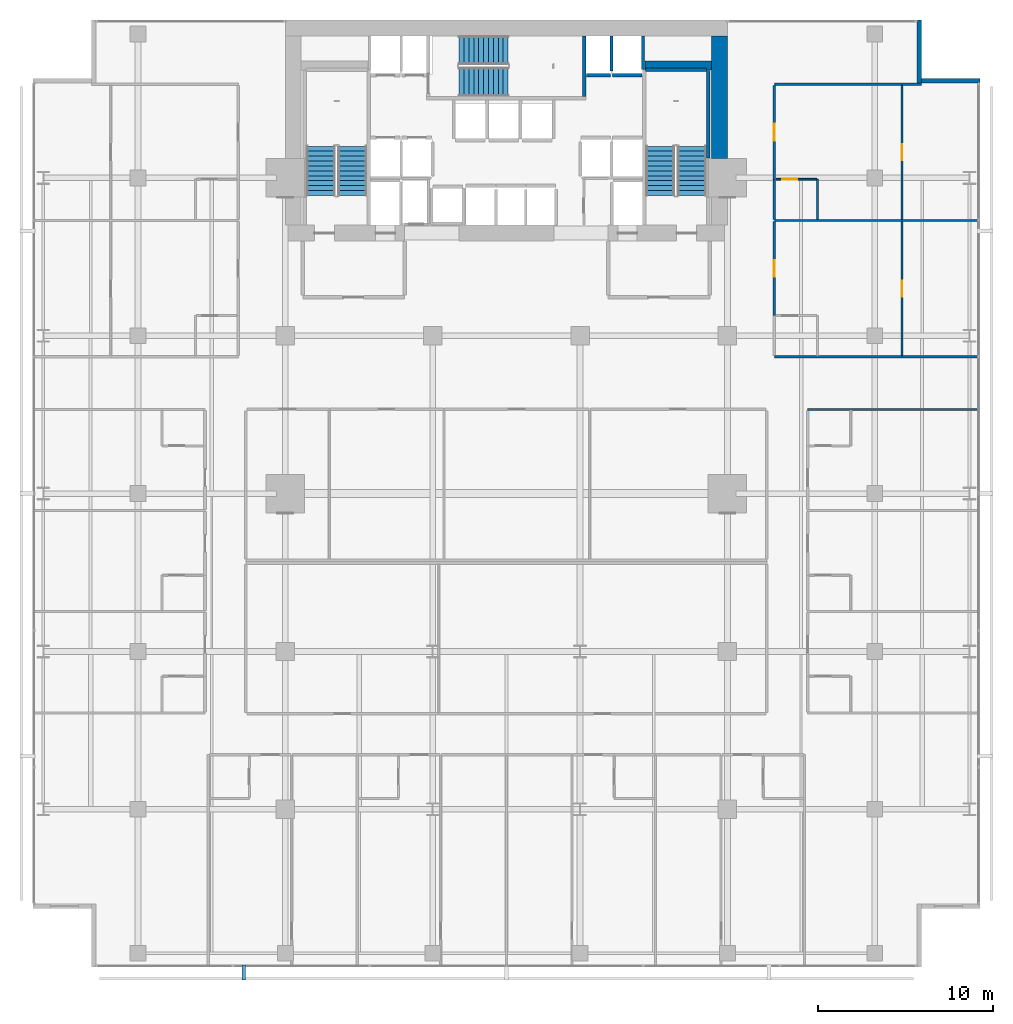
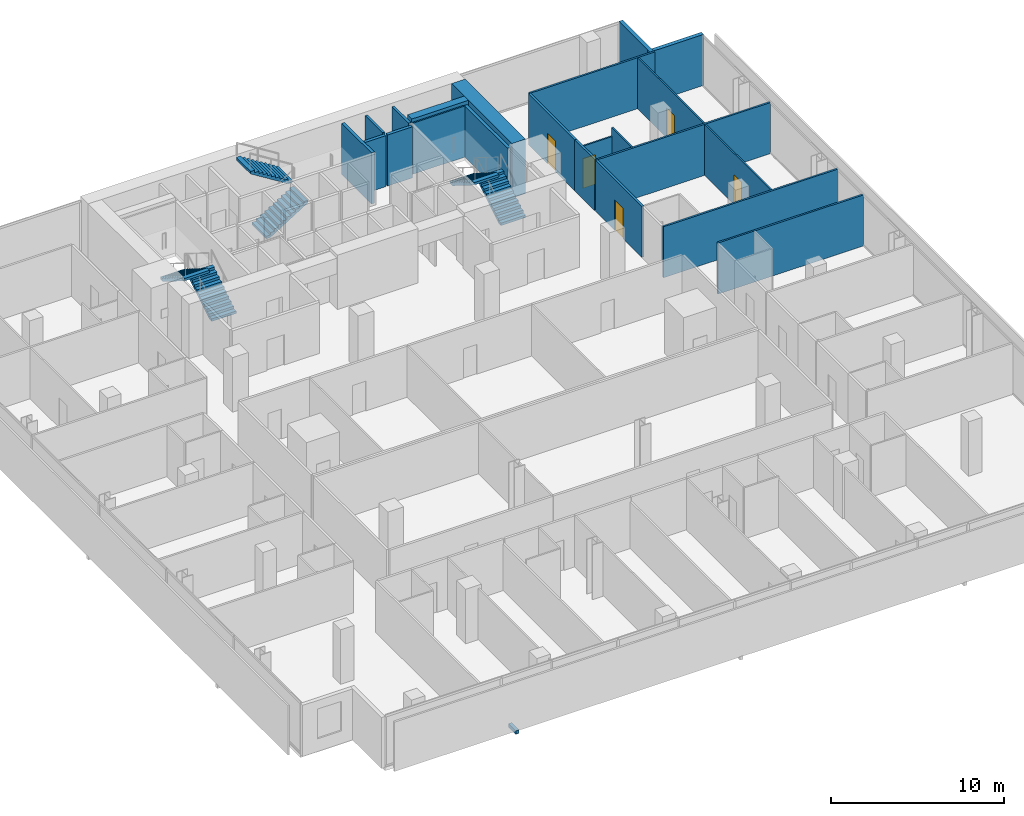
# One storey, part 37 of 40: 22 walls, 6 stair flights, 5 doors, 1 discrete accessory, 5 openings, 3 elements without a shape of their own.
"""IFC4 building model written with IfcOpenShell, lengths in metres."""

from ifc_helpers import new_model, si_unit, direction, frame, frame_2d, origin, origin_2d, place, context, subcontext, project, spatial, polyline, rectangle, outline, extrude, material, layer, layer_set, type_object, element, fill, aggregate, save


model = new_model("IFC4")

# Units and contexts
model_context = context("Model", 3, precision=1e-05, world=origin(), true_north=direction((0.0, 1.0)))
body_context = subcontext(model_context, "Body", "Model", "MODEL_VIEW")
ifc_project = project(units=[si_unit("LENGTHUNIT", "METRE"), si_unit("AREAUNIT", "SQUARE_METRE"), si_unit("VOLUMEUNIT", "CUBIC_METRE"), si_unit("PLANEANGLEUNIT", "RADIAN"), si_unit("MASSUNIT", "GRAM", prefix="KILO")], contexts=[model_context])

# Site, building, storey
site_placement = place(None, origin())
site = spatial("IfcSite", under=ifc_project, at=site_placement, CompositionType="ELEMENT")
building_placement = place(site_placement, origin())
building = spatial("IfcBuilding", under=site, at=building_placement, Name="Maruvema Waterfront Hotel and Observation Tower", CompositionType="ELEMENT")
storey_placement = place(building_placement, frame((0.0, 0.0, 92.39990234375)))
storey = spatial("IfcBuildingStorey", under=building, at=storey_placement, Name="L22", CompositionType="ELEMENT", Elevation=92.39990234375)

# Wall, opening, door
ifc_material_1 = material(Name="Twin-stud acoustic gypsum drywall", Category="gypsum")
ifc_layer_1 = layer(ifc_material_1, 0.14990234375, Name="Acoustic Corridor and Suite Demising Wall 150 mm")
ifc_layer_set_1 = layer_set([ifc_layer_1], Name="Twin-stud acoustic gypsum drywall")
wall_type_1 = type_object("IfcWallType", Name="Acoustic Corridor and Suite Demising Wall 150 mm", PredefinedType="PARTITIONING", material=ifc_layer_set_1)
wall_1_placement = place(storey_placement, frame((53.080078125, 37.14990234375, 0.0), z_axis=(0.0, 0.0, 1.0), x_axis=(0.0, 1.0, 0.0)))
wall_1 = element("IfcWall", 1, at=wall_1_placement, inside=storey, type_object=wall_type_1, Name="L22 Room L22-NE1 Corridor Wall 099", PredefinedType="PARTITIONING", context=body_context, shape_type="SweptSolid", body=[
    extrude(rectangle(XDim=5.35888671875, YDim=0.14990234375, at=frame_2d((2.679443359375, 0.0))), origin(), (0.0, 0.0, 1.0), 3.610107421875),
])
opening_1_placement = place(wall_1_placement, frame((2.204345703125, 0.0, 0.0)))
opening_1 = element("IfcOpeningElement", 2, at=opening_1_placement, cuts=wall_1, Name="Opening DR-095", PredefinedType="OPENING", context=body_context, shape_type="SweptSolid", body=[
    extrude(rectangle(XDim=0.949951171875, YDim=2.14990234375, at=frame_2d((0.47509765625, 1.074951171875))), frame((0.0, 0.0849609375, 0.0), z_axis=(0.0, -1.0, 0.0), x_axis=(1.0, 0.0, 0.0)), (0.0, 0.0, 1.0), 0.169921875),
])
ifc_material_2 = material(Name="Acoustic solid-core hardwood timber leaf", Category="wood")
door_type_1 = type_object("IfcDoorType", Name="Guestroom Entrance Fire Door 950x2150 mm", OperationType="NOTDEFINED", PredefinedType="DOOR", material=ifc_material_2)
door_1_placement = place(opening_1_placement, frame((0.949951171875, 0.0, 0.0), z_axis=(0.0, 0.0, 1.0), x_axis=(-1.0, 0.0, 0.0)))
door_1 = element("IfcDoor", 3, at=door_1_placement, inside=storey, type_object=door_type_1, Name="L22 Room L22-NE1 Entrance Door", OperationType="SINGLE_SWING_LEFT", OverallHeight=2.14990234375, OverallWidth=0.949951171875, PredefinedType="DOOR", context=body_context, shape_type="SweptSolid", body=[
    extrude(rectangle(XDim=0.949951171875, YDim=2.14990234375, at=frame_2d((0.47509765625, 1.074951171875))), frame((0.0, 0.02490234375, 0.0), z_axis=(0.0, -1.0, 0.0), x_axis=(1.0, 0.0, 0.0)), (0.0, 0.0, 1.0), 0.050048828125),
])
fill(opening_1, door_1)

# Wall
wall_2_placement = place(storey_placement, frame((53.080078125, 42.628662109375, 0.0), z_axis=(0.0, 0.0, 1.0), x_axis=(0.0, 1.0, 0.0)))
element("IfcWall", 4, at=wall_2_placement, inside=storey, type_object=wall_type_1, Name="L22 Bath L22-NE2 Wall 110", PredefinedType="PARTITIONING", context=body_context, shape_type="SweptSolid", body=[
    extrude(rectangle(XDim=2.2900390625, YDim=0.14990234375, at=frame_2d((1.14501953125, 0.0))), origin(), (0.0, 0.0, 1.0), 3.610107421875),
])

# Wall, opening, door
wall_3_placement = place(storey_placement, frame((53.080078125, 44.918701171875, 0.0), z_axis=(0.0, 0.0, 1.0), x_axis=(0.0, 1.0, 0.0)))
wall_3 = element("IfcWall", 5, at=wall_3_placement, inside=storey, type_object=wall_type_1, Name="L22 Room L22-NE2 Corridor Wall 111", PredefinedType="PARTITIONING", context=body_context, shape_type="SweptSolid", body=[
    extrude(rectangle(XDim=5.35888671875, YDim=0.14990234375, at=frame_2d((2.679443359375, 0.0))), origin(), (0.0, 0.0, 1.0), 3.610107421875),
])
opening_2_placement = place(wall_3_placement, frame((2.204345703125, 0.0, 0.0)))
opening_2 = element("IfcOpeningElement", 6, at=opening_2_placement, cuts=wall_3, Name="Opening DR-095", PredefinedType="OPENING", context=body_context, shape_type="SweptSolid", body=[
    extrude(rectangle(XDim=0.949951171875, YDim=2.14990234375, at=frame_2d((0.47509765625, 1.074951171875))), frame((0.0, 0.0849609375, 0.0), z_axis=(0.0, -1.0, 0.0), x_axis=(1.0, 0.0, 0.0)), (0.0, 0.0, 1.0), 0.169921875),
])
door_2_placement = place(opening_2_placement, frame((0.949951171875, 0.0, 0.0), z_axis=(0.0, 0.0, 1.0), x_axis=(-1.0, 0.0, 0.0)))
door_2 = element("IfcDoor", 7, at=door_2_placement, inside=storey, type_object=door_type_1, Name="L22 Room L22-NE2 Entrance Door", OperationType="SINGLE_SWING_LEFT", OverallHeight=2.14990234375, OverallWidth=0.949951171875, PredefinedType="DOOR", context=body_context, shape_type="SweptSolid", body=[
    extrude(rectangle(XDim=0.949951171875, YDim=2.14990234375, at=frame_2d((0.47509765625, 1.074951171875))), frame((0.0, 0.02490234375, 0.0), z_axis=(0.0, -1.0, 0.0), x_axis=(1.0, 0.0, 0.0)), (0.0, 0.0, 1.0), 0.050048828125),
])
fill(opening_2, door_2)

# Walls
ifc_material_3 = material(Name="Precast concrete C45/55", Category="concrete")
ifc_layer_2 = layer(ifc_material_3, 0.199951171875, Name="Core Shaft and Stairwell Enclosure Wall 200 mm")
ifc_layer_set_2 = layer_set([ifc_layer_2], Name="Precast concrete C45/55")
wall_type_2 = type_object("IfcWallType", Name="Core Shaft and Stairwell Enclosure Wall 200 mm", PredefinedType="SOLIDWALL", material=ifc_layer_set_2)
wall_4_placement = place(storey_placement, frame((42.25, 49.64990234375, 0.0), z_axis=(0.0, 0.0, 1.0), x_axis=(0.0, 1.0, 0.0)))
element("IfcWall", 8, at=wall_4_placement, inside=storey, type_object=wall_type_2, Name="L22 Stairwell ST-02 Shaft Wall", PredefinedType="SOLIDWALL", context=body_context, shape_type="SweptSolid", body=[
    extrude(rectangle(XDim=3.4501953125, YDim=0.199951171875, at=frame_2d((1.72509765625, 0.0))), origin(), (0.0, 0.0, 1.0), 3.610107421875),
])
wall_5_placement = place(storey_placement, frame((49.300048828125, 46.1201171875, 0.0), z_axis=(0.0, 0.0, 1.0), x_axis=(0.0, 1.0, 0.0)))
element("IfcWall", 9, at=wall_5_placement, inside=storey, type_object=wall_type_2, Name="L22 Stairwell ST-03 Shaft Lining Wall", PredefinedType="SOLIDWALL", context=body_context, shape_type="SweptSolid", body=[
    extrude(rectangle(XDim=5.0, YDim=0.199951171875, at=frame_2d((2.5, 0.0))), origin(), (0.0, 0.0, 1.0), 3.610107421875),
])
wall_6_placement = place(storey_placement, frame((45.719970703125, 51.14990234375, 0.0), z_axis=(0.0, 0.0, 1.0), x_axis=(1.0, 0.0, 0.0)))
element("IfcWall", 10, at=wall_6_placement, inside=storey, type_object=wall_type_2, Name="L22 Stairwell ST-03 Shaft Lining Wall", PredefinedType="SOLIDWALL", context=body_context, shape_type="SweptSolid", body=[
    extrude(rectangle(XDim=3.5, YDim=0.199951171875, at=frame_2d((1.75, 0.0))), origin(), (0.0, 0.0, 1.0), 3.610107421875),
])
wall_7_placement = place(storey_placement, frame((42.360107421875, 50.85009765625, 0.0), z_axis=(0.0, 0.0, 1.0), x_axis=(1.0, 0.0, 0.0)))
element("IfcWall", 11, at=wall_7_placement, inside=storey, type_object=wall_type_2, Name="L22 Lift LF-07 Hoistway Front Wall", PredefinedType="SOLIDWALL", context=body_context, shape_type="SweptSolid", body=[
    extrude(rectangle(XDim=1.3798828125, YDim=0.199951171875, at=frame_2d((0.68994140625, 0.0))), origin(), (0.0, 0.0, 1.0), 3.610107421875),
])
wall_8_placement = place(storey_placement, frame((43.860107421875, 50.85009765625, 0.0), z_axis=(0.0, 0.0, 1.0), x_axis=(1.0, 0.0, 0.0)))
element("IfcWall", 12, at=wall_8_placement, inside=storey, type_object=wall_type_2, Name="L22 Lift LF-08 Hoistway Front Wall", PredefinedType="SOLIDWALL", context=body_context, shape_type="SweptSolid", body=[
    extrude(rectangle(XDim=1.679931640625, YDim=0.199951171875, at=frame_2d((0.83984375, 0.0))), origin(), (0.0, 0.0, 1.0), 3.610107421875),
])
ifc_material_4 = material(Name="Concrete C70/85", Category="concrete")
ifc_layer_3 = layer(ifc_material_4, 0.5, Name="Core Shear Wall 500 mm")
ifc_layer_set_3 = layer_set([ifc_layer_3], Name="Concrete C70/85")
wall_type_3 = type_object("IfcWallType", Name="Core Shear Wall 500 mm", PredefinedType="SHEAR", material=ifc_layer_set_3)
wall_9_placement = place(storey_placement, frame((45.699951171875, 51.39990234375, 0.0), z_axis=(0.0, 0.0, 1.0), x_axis=(1.0, 0.0, 0.0)))
element("IfcWall", 13, at=wall_9_placement, inside=storey, type_object=wall_type_3, Name="L22 Internal Core Shear Wall NE 500 mm", PredefinedType="SHEAR", context=body_context, shape_type="SweptSolid", body=[
    extrude(rectangle(XDim=3.800048828125, YDim=0.5, at=frame_2d((1.89990234375, 0.0))), origin(), (0.0, 0.0, 1.0), 3.85009765625),
])
ifc_material_5 = material(Name="Concrete C80/95", Category="concrete")
ifc_layer_4 = layer(ifc_material_5, 0.89990234375, Name="Core Shear Wall 900 mm")
ifc_layer_set_4 = layer_set([ifc_layer_4], Name="Concrete C80/95")
wall_type_4 = type_object("IfcWallType", Name="Core Shear Wall 900 mm", PredefinedType="SHEAR", material=ifc_layer_set_4)
wall_10_placement = place(storey_placement, frame((49.949951171875, 46.10009765625, 0.0), z_axis=(0.0, 0.0, 1.0), x_axis=(0.0, 1.0, 0.0)))
element("IfcWall", 14, at=wall_10_placement, inside=storey, type_object=wall_type_4, Name="L22 East-North Core Shear Wall", PredefinedType="SHEAR", context=body_context, shape_type="SweptSolid", body=[
    extrude(rectangle(XDim=7.0, YDim=0.89990234375, at=frame_2d((3.5, 0.0))), origin(), (0.0, 0.0, 1.0), 3.85009765625),
])

# Wall, opening, door
ifc_material_6 = material(Name="Moisture-resistant cement-board drywall", Category="gypsum")
ifc_layer_5 = layer(ifc_material_6, 0.10009765625, Name="En-Suite Moisture-Resistant Partition 100 mm")
ifc_layer_set_5 = layer_set([ifc_layer_5], Name="Moisture-resistant cement-board drywall")
wall_type_5 = type_object("IfcWallType", Name="En-Suite Moisture-Resistant Partition 100 mm", PredefinedType="PARTITIONING", material=ifc_layer_set_5)
wall_11_placement = place(storey_placement, frame((60.350341796875, 34.860107421875, 0.0), z_axis=(0.0, 0.0, 1.0), x_axis=(0.0, 1.0, 0.0)))
wall_11 = element("IfcWall", 15, at=wall_11_placement, inside=storey, type_object=wall_type_5, Name="L22 Suite L22-NE1 Split 102", PredefinedType="PARTITIONING", context=body_context, shape_type="SweptSolid", body=[
    extrude(rectangle(XDim=7.648681640625, YDim=0.10009765625, at=frame_2d((3.82421875, 0.0))), origin(), (0.0, 0.0, 1.0), 3.610107421875),
])
opening_3_placement = place(wall_11_placement, frame((3.374267578125, 0.0, 0.0)))
opening_3 = element("IfcOpeningElement", 16, at=opening_3_placement, cuts=wall_11, Name="Opening DR-090", PredefinedType="OPENING", context=body_context, shape_type="SweptSolid", body=[
    extrude(rectangle(XDim=0.89990234375, YDim=2.10009765625, at=frame_2d((0.449951171875, 1.050048828125))), frame((0.0, 0.06005859375, 0.0), z_axis=(0.0, -1.0, 0.0), x_axis=(1.0, 0.0, 0.0)), (0.0, 0.0, 1.0), 0.1201171875),
])
ifc_material_7 = material(Name="Solid-core lacquered timber leaf", Category="wood")
door_type_2 = type_object("IfcDoorType", Name="Accessible Toilet and Room Door 900x2100 mm", OperationType="NOTDEFINED", PredefinedType="DOOR", material=ifc_material_7)
door_3_placement = place(opening_3_placement, frame((0.89990234375, 0.0, 0.0), z_axis=(0.0, 0.0, 1.0), x_axis=(-1.0, 0.0, 0.0)))
door_3 = element("IfcDoor", 17, at=door_3_placement, inside=storey, type_object=door_type_2, Name="L22 Suite L22-NE1 Bedroom Door", OperationType="SINGLE_SWING_RIGHT", OverallHeight=2.10009765625, OverallWidth=0.89990234375, PredefinedType="DOOR", context=body_context, shape_type="SweptSolid", body=[
    extrude(rectangle(XDim=0.89990234375, YDim=2.10009765625, at=frame_2d((0.449951171875, 1.050048828125))), frame((0.0, 0.02490234375, 0.0), z_axis=(0.0, -1.0, 0.0), x_axis=(1.0, 0.0, 0.0)), (0.0, 0.0, 1.0), 0.050048828125),
])
fill(opening_3, door_3)

# Wall
wall_12_placement = place(storey_placement, frame((55.530029296875, 42.628662109375, 0.0), z_axis=(0.0, 0.0, 1.0), x_axis=(0.0, 1.0, 0.0)))
element("IfcWall", 18, at=wall_12_placement, inside=storey, type_object=wall_type_5, Name="L22 En-Suite L22-NE2 E 112", PredefinedType="PARTITIONING", context=body_context, shape_type="SweptSolid", body=[
    extrude(rectangle(XDim=2.2900390625, YDim=0.10009765625, at=frame_2d((1.14501953125, 0.0))), origin(), (0.0, 0.0, 1.0), 3.610107421875),
])

# Wall, opening, door
wall_13_placement = place(storey_placement, frame((53.179931640625, 44.918701171875, 0.0), z_axis=(0.0, 0.0, 1.0), x_axis=(1.0, 0.0, 0.0)))
wall_13 = element("IfcWall", 19, at=wall_13_placement, inside=storey, type_object=wall_type_5, Name="L22 En-Suite L22-NE2 N 113", PredefinedType="PARTITIONING", context=body_context, shape_type="SweptSolid", body=[
    extrude(rectangle(XDim=2.300048828125, YDim=0.10009765625, at=frame_2d((1.14990234375, 0.0))), origin(), (0.0, 0.0, 1.0), 2.9990234375),
])
opening_4_placement = place(wall_13_placement, frame((0.35009765625, 0.0, 0.0)))
opening_4 = element("IfcOpeningElement", 20, at=opening_4_placement, cuts=wall_13, Name="Opening DR-085", PredefinedType="OPENING", context=body_context, shape_type="SweptSolid", body=[
    extrude(rectangle(XDim=0.85009765625, YDim=2.10009765625, at=frame_2d((0.425048828125, 1.050048828125))), frame((0.0, 0.06005859375, 0.0), z_axis=(0.0, -1.0, 0.0), x_axis=(1.0, 0.0, 0.0)), (0.0, 0.0, 1.0), 0.1201171875),
])
ifc_material_8 = material(Name="Moisture-resistant solid timber leaf", Category="wood")
door_type_3 = type_object("IfcDoorType", Name="En-Suite Bathroom Door 850x2100 mm", OperationType="NOTDEFINED", PredefinedType="DOOR", material=ifc_material_8)
door_4_placement = place(opening_4_placement, origin())
door_4 = element("IfcDoor", 21, at=door_4_placement, inside=storey, type_object=door_type_3, Name="L22 En-Suite L22-NE2 Door", OperationType="SINGLE_SWING_RIGHT", OverallHeight=2.10009765625, OverallWidth=0.85009765625, PredefinedType="DOOR", context=body_context, shape_type="SweptSolid", body=[
    extrude(rectangle(XDim=0.85009765625, YDim=2.10009765625, at=frame_2d((0.425048828125, 1.050048828125))), frame((0.0, 0.02490234375, 0.0), z_axis=(0.0, -1.0, 0.0), x_axis=(1.0, 0.0, 0.0)), (0.0, 0.0, 1.0), 0.050048828125),
])
fill(opening_4, door_4)

wall_14_placement = place(storey_placement, frame((60.350341796875, 42.628662109375, 0.0), z_axis=(0.0, 0.0, 1.0), x_axis=(0.0, 1.0, 0.0)))
wall_14 = element("IfcWall", 22, at=wall_14_placement, inside=storey, type_object=wall_type_5, Name="L22 Suite L22-NE2 Split 114", PredefinedType="PARTITIONING", context=body_context, shape_type="SweptSolid", body=[
    extrude(rectangle(XDim=7.64892578125, YDim=0.10009765625, at=frame_2d((3.824462890625, 0.0))), origin(), (0.0, 0.0, 1.0), 3.610107421875),
])
opening_5_placement = place(wall_14_placement, frame((3.37451171875, 0.0, 0.0)))
opening_5 = element("IfcOpeningElement", 23, at=opening_5_placement, cuts=wall_14, Name="Opening DR-090", PredefinedType="OPENING", context=body_context, shape_type="SweptSolid", body=[
    extrude(rectangle(XDim=0.89990234375, YDim=2.10009765625, at=frame_2d((0.449951171875, 1.050048828125))), frame((0.0, 0.06005859375, 0.0), z_axis=(0.0, -1.0, 0.0), x_axis=(1.0, 0.0, 0.0)), (0.0, 0.0, 1.0), 0.1201171875),
])
door_5_placement = place(opening_5_placement, frame((0.89990234375, 0.0, 0.0), z_axis=(0.0, 0.0, 1.0), x_axis=(-1.0, 0.0, 0.0)))
door_5 = element("IfcDoor", 24, at=door_5_placement, inside=storey, type_object=door_type_2, Name="L22 Suite L22-NE2 Bedroom Door", OperationType="SINGLE_SWING_RIGHT", OverallHeight=2.10009765625, OverallWidth=0.89990234375, PredefinedType="DOOR", context=body_context, shape_type="SweptSolid", body=[
    extrude(rectangle(XDim=0.89990234375, YDim=2.10009765625, at=frame_2d((0.449951171875, 1.050048828125))), frame((0.0, 0.02490234375, 0.0), z_axis=(0.0, -1.0, 0.0), x_axis=(1.0, 0.0, 0.0)), (0.0, 0.0, 1.0), 0.050048828125),
])
fill(opening_5, door_5)

# Walls
ifc_material_9 = material(Name="Precast concrete C45/55 with honed Pernambuco granite facing", Category="masonry")
ifc_layer_6 = layer(ifc_material_9, 0.260009765625, Name="Exterior Granite Clad Spandrel and Pier Wall 260 mm")
ifc_layer_set_6 = layer_set([ifc_layer_6], Name="Precast concrete C45/55 with honed Pernambuco granite facing")
wall_type_6 = type_object("IfcWallType", Name="Exterior Granite Clad Spandrel and Pier Wall 260 mm", PredefinedType="SOLIDWALL", material=ifc_layer_set_6)
for number, where, z_axis, x_axis, name in (
    (25, (61.330078125, 54.0, 0.0), (0.0, 0.0, 1.0), (0.0, -1.0, 0.0), "L22 Corner Notch Granite Pier Wall NE1"),
    (26, (61.199951171875, 50.530029296875, 0.0), (0.0, 0.0, 1.0), (1.0, 0.0, 0.0), "L22 Corner Notch Granite Pier Wall NE2"),
):
    element("IfcWall", number, at=place(storey_placement, frame(where, z_axis=z_axis, x_axis=x_axis)), inside=storey, type_object=wall_type_6, Name=name, PredefinedType="SOLIDWALL", context=body_context, shape_type="SweptSolid", body=[
        extrude(rectangle(XDim=3.60009765625, YDim=0.260009765625, at=frame_2d((1.800048828125, 0.0))), origin(), (0.0, 0.0, 1.0), 3.610107421875),
    ])
ifc_material_10 = material(Name="Acoustic gypsum plasterboard drywall", Category="gypsum")
ifc_layer_7 = layer(ifc_material_10, 0.125, Name="Guestroom Acoustic Demising Wall 125 mm")
ifc_layer_set_7 = layer_set([ifc_layer_7], Name="Acoustic gypsum plasterboard drywall")
wall_type_7 = type_object("IfcWallType", Name="Guestroom Acoustic Demising Wall 125 mm", PredefinedType="PARTITIONING", material=ifc_layer_set_7)
wall_15_placement = place(storey_placement, frame((54.97998046875, 31.800048828125, 0.0), z_axis=(0.0, 0.0, 1.0), x_axis=(1.0, 0.0, 0.0)))
element("IfcWall", 27, at=wall_15_placement, inside=storey, type_object=wall_type_7, Name="L22 E Top End 060", PredefinedType="PARTITIONING", context=body_context, shape_type="SweptSolid", body=[
    extrude(rectangle(XDim=9.719970703125, YDim=0.125, at=frame_2d((4.85986328125, 0.0))), origin(), (0.0, 0.0, 1.0), 3.610107421875),
])
wall_16_placement = place(storey_placement, frame((53.080078125, 34.800048828125, 0.0), z_axis=(0.0, 0.0, 1.0), x_axis=(1.0, 0.0, 0.0)))
element("IfcWall", 28, at=wall_16_placement, inside=storey, type_object=wall_type_7, Name="L22 NE Bot End 090", PredefinedType="PARTITIONING", context=body_context, shape_type="SweptSolid", body=[
    extrude(rectangle(XDim=11.619873046875, YDim=0.125, at=frame_2d((5.81005859375, 0.0))), origin(), (0.0, 0.0, 1.0), 3.610107421875),
])
wall_17_placement = place(storey_placement, frame((53.080078125, 50.33740234375, 0.0), z_axis=(0.0, 0.0, 1.0), x_axis=(1.0, 0.0, 0.0)))
element("IfcWall", 29, at=wall_17_placement, inside=storey, type_object=wall_type_7, Name="L22 NE Top End 092", PredefinedType="PARTITIONING", context=body_context, shape_type="SweptSolid", body=[
    extrude(rectangle(XDim=8.3798828125, YDim=0.125, at=frame_2d((4.18994140625, 0.0))), origin(), (0.0, 0.0, 1.0), 3.610107421875),
])
wall_18_placement = place(storey_placement, frame((53.080078125, 42.568603515625, 0.0), z_axis=(0.0, 0.0, 1.0), x_axis=(1.0, 0.0, 0.0)))
element("IfcWall", 30, at=wall_18_placement, inside=storey, type_object=wall_type_7, Name="L22 NE Demising 2 104", PredefinedType="PARTITIONING", context=body_context, shape_type="SweptSolid", body=[
    extrude(rectangle(XDim=11.619873046875, YDim=0.125, at=frame_2d((5.81005859375, 0.0))), origin(), (0.0, 0.0, 1.0), 3.610107421875),
])
ifc_material_11 = material(Name="Precast concrete C45/55", Category="concrete")
ifc_layer_8 = layer(ifc_material_11, 0.159912109375, Name="Lift Hoistway Divider Wall 160 mm")
ifc_layer_set_8 = layer_set([ifc_layer_8], Name="Precast concrete C45/55")
wall_type_8 = type_object("IfcWallType", Name="Lift Hoistway Divider Wall 160 mm", PredefinedType="SOLIDWALL", material=ifc_layer_set_8)
wall_19_placement = place(storey_placement, frame((45.590087890625, 51.179931640625, 0.0), z_axis=(0.0, 0.0, 1.0), x_axis=(0.0, 1.0, 0.0)))
element("IfcWall", 31, at=wall_19_placement, inside=storey, type_object=wall_type_8, Name="L22 Hoistway Divider Wall", PredefinedType="SOLIDWALL", context=body_context, shape_type="SweptSolid", body=[
    extrude(rectangle(XDim=1.920166015625, YDim=0.159912109375, at=frame_2d((0.9599609375, 0.0))), origin(), (0.0, 0.0, 1.0), 3.610107421875),
])
wall_20_placement = place(storey_placement, frame((43.800048828125, 51.10009765625, 0.0), z_axis=(0.0, 0.0, 1.0), x_axis=(0.0, 1.0, 0.0)))
element("IfcWall", 32, at=wall_20_placement, inside=storey, type_object=wall_type_8, Name="L22 Hoistway Divider Wall", PredefinedType="SOLIDWALL", context=body_context, shape_type="SweptSolid", body=[
    extrude(rectangle(XDim=2.0, YDim=0.159912109375, at=frame_2d((1.0, 0.0))), origin(), (0.0, 0.0, 1.0), 3.610107421875),
])

# Stair, stair flights
ifc_material_12 = material(Name="Concrete C50/60", Category="concrete")
stair_type = type_object("IfcStairType", Name="Dogleg Exit Stair 1650 mm (22R x 175.0 mm)", PredefinedType="HALF_TURN_STAIR", material=ifc_material_12)
stair_1_placement = place(storey_placement, origin())
stair_1 = element("IfcStair", 33, at=stair_1_placement, inside=storey, type_object=stair_type, Name="L22 ST-01", PredefinedType="HALF_TURN_STAIR")
ifc_material_13 = material(Name="Concrete C50/60", Category="concrete")
stair_flight_type = type_object("IfcStairFlightType", Name="Reinforced Concrete Stair Flight 1650 mm (11R x 175.0 mm)", PredefinedType="STRAIGHT", material=ifc_material_13)
stair_flight_1_placement = place(storey_placement, frame((29.02490234375, 44.0, 0.0), z_axis=(0.0, 0.0, 1.0), x_axis=(0.0, 1.0, 0.0)))
stair_flight_1 = element("IfcStairFlight", 34, at=stair_flight_1_placement, type_object=stair_flight_type, Name="ST-01 flight 1", NumberOfRisers=11, NumberOfTreads=10, PredefinedType="STRAIGHT", RiserHeight=0.175, TreadLength=0.28, context=body_context, shape_type="SweptSolid", body=[
    extrude(outline(polyline([(0.0, 0.0), (0.0, 0.175048828125), (0.280029296875, 0.175048828125), (0.280029296875, 0.35009765625), (0.56005859375, 0.35009765625), (0.56005859375, 0.52490234375), (0.840087890625, 0.52490234375), (0.840087890625, 0.699951171875), (1.1201171875, 0.699951171875), (1.1201171875, 0.875), (1.39990234375, 0.875), (1.39990234375, 1.050048828125), (1.679931640625, 1.050048828125), (1.679931640625, 1.22509765625), (1.9599609375, 1.22509765625), (1.9599609375, 1.39990234375), (2.239990234375, 1.39990234375), (2.239990234375, 1.574951171875), (2.52001953125, 1.574951171875), (2.52001953125, 1.75), (2.800048828125, 1.75), (2.800048828125, 1.925048828125), (2.800048828125, 1.5732421875), (0.28271484375, 0.0), (0.0, 0.0)])), frame((0.0, 0.824951171875, 0.0), z_axis=(0.0, -1.0, 0.0), x_axis=(1.0, 0.0, 0.0)), (0.0, 0.0, 1.0), 1.64990234375),
])
stair_flight_2_placement = place(storey_placement, frame((27.22509765625, 46.800048828125, 1.925048828125), z_axis=(0.0, 0.0, 1.0), x_axis=(0.0, -1.0, 0.0)))
stair_flight_2 = element("IfcStairFlight", 35, at=stair_flight_2_placement, type_object=stair_flight_type, Name="ST-01 flight 2", NumberOfRisers=11, NumberOfTreads=10, PredefinedType="STRAIGHT", RiserHeight=0.175, TreadLength=0.28, context=body_context, shape_type="SweptSolid", body=[
    extrude(outline(polyline([(0.0, 0.0), (0.0, 0.175048828125), (0.280029296875, 0.175048828125), (0.280029296875, 0.35009765625), (0.56005859375, 0.35009765625), (0.56005859375, 0.52490234375), (0.840087890625, 0.52490234375), (0.840087890625, 0.699951171875), (1.1201171875, 0.699951171875), (1.1201171875, 0.875), (1.39990234375, 0.875), (1.39990234375, 1.050048828125), (1.679931640625, 1.050048828125), (1.679931640625, 1.22509765625), (1.9599609375, 1.22509765625), (1.9599609375, 1.39990234375), (2.239990234375, 1.39990234375), (2.239990234375, 1.574951171875), (2.52001953125, 1.574951171875), (2.52001953125, 1.75), (2.800048828125, 1.75), (2.800048828125, 1.925048828125), (2.800048828125, 1.5732421875), (0.28271484375, 0.0), (0.0, 0.0)])), frame((0.0, 0.824951171875, 0.0), z_axis=(0.0, -1.0, 0.0), x_axis=(1.0, 0.0, 0.0)), (0.0, 0.0, 1.0), 1.64990234375),
])
aggregate(stair_1, [stair_flight_1, stair_flight_2])

stair_2_placement = place(storey_placement, origin())
stair_2 = element("IfcStair", 36, at=stair_2_placement, inside=storey, type_object=stair_type, Name="L22 ST-02", PredefinedType="HALF_TURN_STAIR")
stair_flight_3_placement = place(storey_placement, frame((35.10009765625, 50.47509765625, 0.0), z_axis=(0.0, 0.0, 1.0), x_axis=(1.0, 0.0, 0.0)))
stair_flight_3 = element("IfcStairFlight", 37, at=stair_flight_3_placement, type_object=stair_flight_type, Name="ST-02 flight 1", NumberOfRisers=11, NumberOfTreads=10, PredefinedType="STRAIGHT", RiserHeight=0.175, TreadLength=0.28, context=body_context, shape_type="SweptSolid", body=[
    extrude(outline(polyline([(0.0, 0.0), (0.0, 0.175048828125), (0.280029296875, 0.175048828125), (0.280029296875, 0.35009765625), (0.56005859375, 0.35009765625), (0.56005859375, 0.52490234375), (0.840087890625, 0.52490234375), (0.840087890625, 0.699951171875), (1.1201171875, 0.699951171875), (1.1201171875, 0.875), (1.39990234375, 0.875), (1.39990234375, 1.050048828125), (1.679931640625, 1.050048828125), (1.679931640625, 1.22509765625), (1.9599609375, 1.22509765625), (1.9599609375, 1.39990234375), (2.239990234375, 1.39990234375), (2.239990234375, 1.574951171875), (2.52001953125, 1.574951171875), (2.52001953125, 1.75), (2.800048828125, 1.75), (2.800048828125, 1.925048828125), (2.800048828125, 1.5732421875), (0.28271484375, 0.0), (0.0, 0.0)])), frame((0.0, 0.824951171875, 0.0), z_axis=(0.0, -1.0, 0.0), x_axis=(1.0, 0.0, 0.0)), (0.0, 0.0, 1.0), 1.64990234375),
])
stair_flight_4_placement = place(storey_placement, frame((37.89990234375, 52.27490234375, 1.925048828125), z_axis=(0.0, 0.0, 1.0), x_axis=(-1.0, 0.0, 0.0)))
stair_flight_4 = element("IfcStairFlight", 38, at=stair_flight_4_placement, type_object=stair_flight_type, Name="ST-02 flight 2", NumberOfRisers=11, NumberOfTreads=10, PredefinedType="STRAIGHT", RiserHeight=0.175, TreadLength=0.28, context=body_context, shape_type="SweptSolid", body=[
    extrude(outline(polyline([(0.0, 0.0), (0.0, 0.175048828125), (0.280029296875, 0.175048828125), (0.280029296875, 0.35009765625), (0.56005859375, 0.35009765625), (0.56005859375, 0.52490234375), (0.840087890625, 0.52490234375), (0.840087890625, 0.699951171875), (1.1201171875, 0.699951171875), (1.1201171875, 0.875), (1.39990234375, 0.875), (1.39990234375, 1.050048828125), (1.679931640625, 1.050048828125), (1.679931640625, 1.22509765625), (1.9599609375, 1.22509765625), (1.9599609375, 1.39990234375), (2.239990234375, 1.39990234375), (2.239990234375, 1.574951171875), (2.52001953125, 1.574951171875), (2.52001953125, 1.75), (2.800048828125, 1.75), (2.800048828125, 1.925048828125), (2.800048828125, 1.5732421875), (0.28271484375, 0.0), (0.0, 0.0)])), frame((0.0, 0.824951171875, 0.0), z_axis=(0.0, -1.0, 0.0), x_axis=(1.0, 0.0, 0.0)), (0.0, 0.0, 1.0), 1.64990234375),
])
aggregate(stair_2, [stair_flight_3, stair_flight_4])

stair_3_placement = place(storey_placement, origin())
stair_3 = element("IfcStair", 39, at=stair_3_placement, inside=storey, type_object=stair_type, Name="L22 ST-03", PredefinedType="HALF_TURN_STAIR")
stair_flight_5_placement = place(storey_placement, frame((48.375, 44.0, 0.0), z_axis=(0.0, 0.0, 1.0), x_axis=(0.0, 1.0, 0.0)))
stair_flight_5 = element("IfcStairFlight", 40, at=stair_flight_5_placement, type_object=stair_flight_type, Name="ST-03 flight 1", NumberOfRisers=11, NumberOfTreads=10, PredefinedType="STRAIGHT", RiserHeight=0.175, TreadLength=0.28, context=body_context, shape_type="SweptSolid", body=[
    extrude(outline(polyline([(0.0, 0.0), (0.0, 0.175048828125), (0.280029296875, 0.175048828125), (0.280029296875, 0.35009765625), (0.56005859375, 0.35009765625), (0.56005859375, 0.52490234375), (0.840087890625, 0.52490234375), (0.840087890625, 0.699951171875), (1.1201171875, 0.699951171875), (1.1201171875, 0.875), (1.39990234375, 0.875), (1.39990234375, 1.050048828125), (1.679931640625, 1.050048828125), (1.679931640625, 1.22509765625), (1.9599609375, 1.22509765625), (1.9599609375, 1.39990234375), (2.239990234375, 1.39990234375), (2.239990234375, 1.574951171875), (2.52001953125, 1.574951171875), (2.52001953125, 1.75), (2.800048828125, 1.75), (2.800048828125, 1.925048828125), (2.800048828125, 1.5732421875), (0.28271484375, 0.0), (0.0, 0.0)])), frame((0.0, 0.824951171875, 0.0), z_axis=(0.0, -1.0, 0.0), x_axis=(1.0, 0.0, 0.0)), (0.0, 0.0, 1.0), 1.64990234375),
])
stair_flight_6_placement = place(storey_placement, frame((46.574951171875, 46.800048828125, 1.925048828125), z_axis=(0.0, 0.0, 1.0), x_axis=(0.0, -1.0, 0.0)))
stair_flight_6 = element("IfcStairFlight", 41, at=stair_flight_6_placement, type_object=stair_flight_type, Name="ST-03 flight 2", NumberOfRisers=11, NumberOfTreads=10, PredefinedType="STRAIGHT", RiserHeight=0.175, TreadLength=0.28, context=body_context, shape_type="SweptSolid", body=[
    extrude(outline(polyline([(0.0, 0.0), (0.0, 0.175048828125), (0.280029296875, 0.175048828125), (0.280029296875, 0.35009765625), (0.56005859375, 0.35009765625), (0.56005859375, 0.52490234375), (0.840087890625, 0.52490234375), (0.840087890625, 0.699951171875), (1.1201171875, 0.699951171875), (1.1201171875, 0.875), (1.39990234375, 0.875), (1.39990234375, 1.050048828125), (1.679931640625, 1.050048828125), (1.679931640625, 1.22509765625), (1.9599609375, 1.22509765625), (1.9599609375, 1.39990234375), (2.239990234375, 1.39990234375), (2.239990234375, 1.574951171875), (2.52001953125, 1.574951171875), (2.52001953125, 1.75), (2.800048828125, 1.75), (2.800048828125, 1.925048828125), (2.800048828125, 1.5732421875), (0.28271484375, 0.0), (0.0, 0.0)])), frame((0.0, 0.824951171875, 0.0), z_axis=(0.0, -1.0, 0.0), x_axis=(1.0, 0.0, 0.0)), (0.0, 0.0, 1.0), 1.64990234375),
])
aggregate(stair_3, [stair_flight_5, stair_flight_6])

# Discrete accessory
ifc_material_14 = material(Name="Duplex stainless steel Grade 2205", Category="steel")
discrete_accessory_type = type_object("IfcDiscreteAccessoryType", Name="Double-Skin Cavity Stainless Outrigger Bracket", PredefinedType="BRACKET", material=ifc_material_14)
discrete_accessory_placement = place(storey_placement, frame((22.823974609375, -0.300048828125, -0.14013671875), z_axis=(0.0, 0.0, 1.0), x_axis=(1.0, 0.0, 0.0)))
element("IfcDiscreteAccessory", 42, at=discrete_accessory_placement, inside=storey, type_object=discrete_accessory_type, Name="L22 Outer Skin Support Bracket 1", PredefinedType="BRACKET", context=body_context, shape_type="SweptSolid", body=[
    extrude(rectangle(XDim=0.219970703125, YDim=0.860107421875, at=origin_2d()), origin(), (0.0, 0.0, 1.0), 0.239990234375),
])

save(model, "model.ifc")
